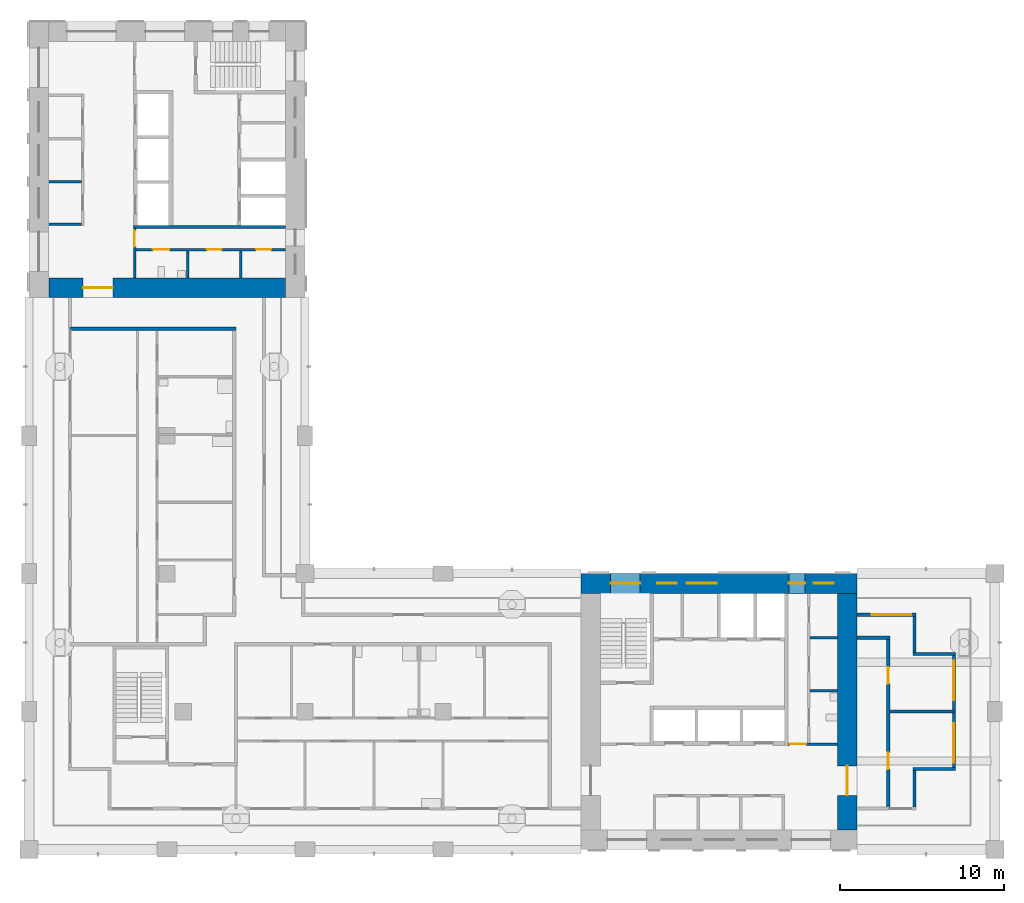
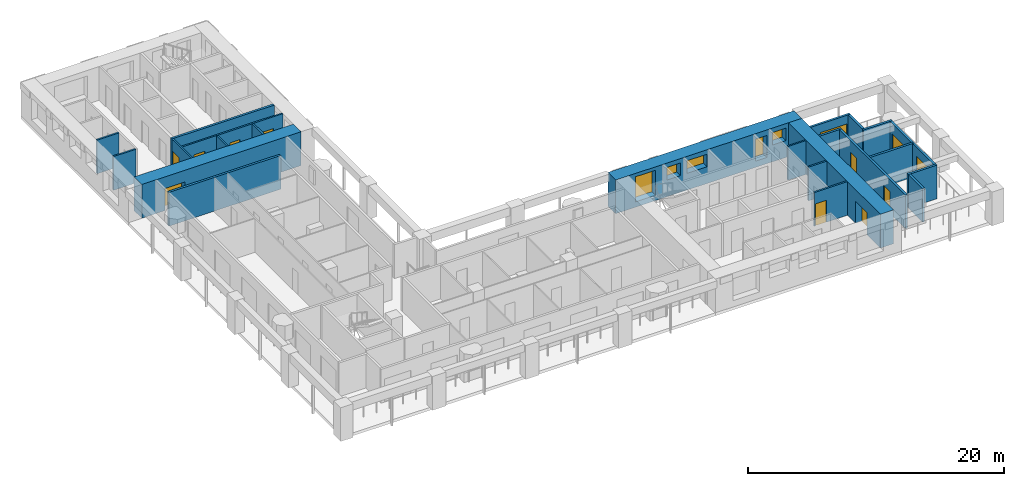
# One storey, part 5 of 13: 23 walls, 10 doors, 7 windows, 17 openings.
"""IFC4 building model written with IfcOpenShell, lengths in metres."""

from ifc_helpers import new_model, si_unit, direction, frame, frame_2d, origin, place, context, subcontext, project, spatial, rectangle, extrude, material, layer, layer_set, type_object, element, fill, save


model = new_model("IFC4")

# Units and contexts
model_context = context("Model", 3, precision=1e-05, world=origin(), true_north=direction((0.0, 1.0)))
body_context = subcontext(model_context, "Body", "Model", "MODEL_VIEW")
ifc_project = project(units=[si_unit("LENGTHUNIT", "METRE"), si_unit("AREAUNIT", "SQUARE_METRE"), si_unit("VOLUMEUNIT", "CUBIC_METRE"), si_unit("PLANEANGLEUNIT", "RADIAN"), si_unit("MASSUNIT", "GRAM", prefix="KILO")], contexts=[model_context])

# Site, building, storey
site_placement = place(None, origin())
site = spatial("IfcSite", under=ifc_project, at=site_placement, CompositionType="ELEMENT")
building_placement = place(site_placement, origin())
building = spatial("IfcBuilding", under=site, at=building_placement, Name="Vermilion Gate Residences", CompositionType="ELEMENT")
storey_placement = place(building_placement, frame((0.0, 0.0, 193.199951171875)))
storey = spatial("IfcBuildingStorey", under=building, at=storey_placement, Name="L50", CompositionType="ELEMENT", Elevation=193.199951171875)

# Wall, opening, door
ifc_material_1 = material(Name="Masonry blockwork", Category="masonry")
ifc_layer_1 = layer(ifc_material_1, 0.14990234375)
ifc_layer_set_1 = layer_set([ifc_layer_1], Name="BLOCKWORK PARTITION 150 EI 120")
wall_type_1 = type_object("IfcWallType", Name="BLOCKWORK PARTITION 150 EI 120", PredefinedType="PARTITIONING", material=ifc_layer_set_1)
wall_1_placement = place(storey_placement, frame((54.60009765625, 14.824951171875, 0.0), z_axis=(0.0, 0.0, 1.0), x_axis=(1.0, 0.0, 0.0)))
wall_1 = element("IfcWall", 1, at=wall_1_placement, inside=storey, type_object=wall_type_1, Name="Core room partition A50-ES-S", PredefinedType="PARTITIONING", context=body_context, shape_type="SweptSolid", body=[
    extrude(rectangle(XDim=3.0, YDim=0.14990234375, at=frame_2d((1.5, 0.0))), origin(), (0.0, 0.0, 1.0), 3.219970703125),
])
opening_1_placement = place(wall_1_placement, frame((0.10009765625, 0.0, 0.0)))
opening_1 = element("IfcOpeningElement", 2, at=opening_1_placement, cuts=wall_1, Name="Opening DK50015", PredefinedType="OPENING", context=body_context, shape_type="SweptSolid", body=[
    extrude(rectangle(XDim=1.0, YDim=2.10009765625, at=frame_2d((0.5, 1.050048828125))), frame((0.0, 0.0849609375, 0.0), z_axis=(0.0, -1.0, 0.0), x_axis=(1.0, 0.0, 0.0)), (0.0, 0.0, 1.0), 0.169921875),
])
ifc_material_2 = material(Name="Steel", Category="steel")
door_type_1 = type_object("IfcDoorType", Name="FIRE DOOR FD60 1000 X 2100", OperationType="SINGLE_SWING_LEFT", PredefinedType="DOOR", material=ifc_material_2)
door_1_placement = place(opening_1_placement, frame((1.0, 0.0, 0.0), z_axis=(0.0, 0.0, 1.0), x_axis=(-1.0, 0.0, 0.0)))
door_1 = element("IfcDoor", 3, at=door_1_placement, inside=storey, type_object=door_type_1, Name="Service corridor door A50", OperationType="SINGLE_SWING_LEFT", OverallHeight=2.10009765625, OverallWidth=1.0, PredefinedType="DOOR", context=body_context, shape_type="SweptSolid", body=[
    extrude(rectangle(XDim=1.0, YDim=2.10009765625, at=frame_2d((0.5, 1.050048828125))), frame((0.0, 0.02490234375, 0.0), z_axis=(0.0, -1.0, 0.0), x_axis=(1.0, 0.0, 0.0)), (0.0, 0.0, 1.0), 0.050048828125),
])
fill(opening_1, door_1)

# Walls
for number, where, z_axis, x_axis, name in (
    (4, (55.949951171875, 18.054931640625, 0.0), (0.0, 0.0, 1.0), (1.0, 0.0, 0.0), "Core room partition A50-ES-P0"),
    (5, (55.949951171875, 21.284912109375, 0.0), (0.0, 0.0, 1.0), (1.0, 0.0, 0.0), "Core room partition A50-ES-P1"),
):
    element("IfcWall", number, at=place(storey_placement, frame(where, z_axis=z_axis, x_axis=x_axis)), inside=storey, type_object=wall_type_1, Name=name, PredefinedType="PARTITIONING", context=body_context, shape_type="SweptSolid", body=[
        extrude(rectangle(XDim=1.650146484375, YDim=0.14990234375, at=frame_2d((0.8251953125, 0.0))), origin(), (0.0, 0.0, 1.0), 3.219970703125),
    ])
for number, where, z_axis, x_axis, name in (
    (6, (9.60009765625, 46.47509765625, 0.0), (0.0, 0.0, 1.0), (1.0, 0.0, 0.0), "Core room partition B50-RW-E"),
    (7, (9.60009765625, 49.06689453125, 0.0), (0.0, 0.0, 1.0), (1.0, 0.0, 0.0), "Core room partition B50-SR-P1"),
):
    element("IfcWall", number, at=place(storey_placement, frame(where, z_axis=z_axis, x_axis=x_axis)), inside=storey, type_object=wall_type_1, Name=name, PredefinedType="PARTITIONING", context=body_context, shape_type="SweptSolid", body=[
        extrude(rectangle(XDim=2.0, YDim=0.14990234375, at=frame_2d((1.0, 0.0))), origin(), (0.0, 0.0, 1.0), 3.219970703125),
    ])

# Wall, opening, door
wall_2_placement = place(storey_placement, frame((14.824951171875, 46.199951171875, 0.0), z_axis=(0.0, 0.0, 1.0), x_axis=(0.0, -1.0, 0.0)))
wall_2 = element("IfcWall", 8, at=wall_2_placement, inside=storey, type_object=wall_type_1, Name="Core room partition B50-ES-S", PredefinedType="PARTITIONING", context=body_context, shape_type="SweptSolid", body=[
    extrude(rectangle(XDim=3.0, YDim=0.14990234375, at=frame_2d((1.5, 0.0))), origin(), (0.0, 0.0, 1.0), 3.219970703125),
])
opening_2_placement = place(wall_2_placement, frame((0.10009765625, 0.0, 0.0)))
opening_2 = element("IfcOpeningElement", 9, at=opening_2_placement, cuts=wall_2, Name="Opening DK50114", PredefinedType="OPENING", context=body_context, shape_type="SweptSolid", body=[
    extrude(rectangle(XDim=1.0, YDim=2.10009765625, at=frame_2d((0.5, 1.050048828125))), frame((0.0, 0.0849609375, 0.0), z_axis=(0.0, -1.0, 0.0), x_axis=(1.0, 0.0, 0.0)), (0.0, 0.0, 1.0), 0.169921875),
])
door_2_placement = place(opening_2_placement, frame((1.0, 0.0, 0.0), z_axis=(0.0, 0.0, 1.0), x_axis=(-1.0, 0.0, 0.0)))
door_2 = element("IfcDoor", 10, at=door_2_placement, inside=storey, type_object=door_type_1, Name="Service corridor door B50", OperationType="SINGLE_SWING_LEFT", OverallHeight=2.10009765625, OverallWidth=1.0, PredefinedType="DOOR", context=body_context, shape_type="SweptSolid", body=[
    extrude(rectangle(XDim=1.0, YDim=2.10009765625, at=frame_2d((0.5, 1.050048828125))), frame((0.0, 0.02490234375, 0.0), z_axis=(0.0, -1.0, 0.0), x_axis=(1.0, 0.0, 0.0)), (0.0, 0.0, 1.0), 0.050048828125),
])
fill(opening_2, door_2)

# Walls
for number, where, z_axis, x_axis, name in (
    (11, (18.054931640625, 44.85009765625, 0.0), (0.0, 0.0, 1.0), (0.0, -1.0, 0.0), "Core room partition B50-ES-P0"),
    (12, (21.284912109375, 44.85009765625, 0.0), (0.0, 0.0, 1.0), (0.0, -1.0, 0.0), "Core room partition B50-ES-P1"),
):
    element("IfcWall", number, at=place(storey_placement, frame(where, z_axis=z_axis, x_axis=x_axis)), inside=storey, type_object=wall_type_1, Name=name, PredefinedType="PARTITIONING", context=body_context, shape_type="SweptSolid", body=[
        extrude(rectangle(XDim=1.650146484375, YDim=0.14990234375, at=frame_2d((0.8251953125, 0.0))), origin(), (0.0, 0.0, 1.0), 3.219970703125),
    ])

# Wall, openings, doors
wall_3_placement = place(storey_placement, frame((14.89990234375, 44.925048828125, 0.0), z_axis=(0.0, 0.0, 1.0), x_axis=(1.0, 0.0, 0.0)))
wall_3 = element("IfcWall", 13, at=wall_3_placement, inside=storey, type_object=wall_type_1, Name="Core room partition B50-ES-W", PredefinedType="PARTITIONING", context=body_context, shape_type="SweptSolid", body=[
    extrude(rectangle(XDim=9.10009765625, YDim=0.14990234375, at=frame_2d((4.550048828125, 0.0))), origin(), (0.0, 0.0, 1.0), 3.219970703125),
])
opening_3_placement = place(wall_3_placement, frame((1.0400390625, 0.0, 0.0)))
opening_3 = element("IfcOpeningElement", 14, at=opening_3_placement, cuts=wall_3, Name="Opening DK50115", PredefinedType="OPENING", context=body_context, shape_type="SweptSolid", body=[
    extrude(rectangle(XDim=1.0, YDim=2.10009765625, at=frame_2d((0.5, 1.050048828125))), frame((0.0, 0.0849609375, 0.0), z_axis=(0.0, -1.0, 0.0), x_axis=(1.0, 0.0, 0.0)), (0.0, 0.0, 1.0), 0.169921875),
])
opening_4_placement = place(wall_3_placement, frame((4.320068359375, 0.0, 0.0)))
opening_4 = element("IfcOpeningElement", 15, at=opening_4_placement, cuts=wall_3, Name="Opening DK50116", PredefinedType="OPENING", context=body_context, shape_type="SweptSolid", body=[
    extrude(rectangle(XDim=0.89990234375, YDim=2.10009765625, at=frame_2d((0.449951171875, 1.050048828125))), frame((0.0, 0.0849609375, 0.0), z_axis=(0.0, -1.0, 0.0), x_axis=(1.0, 0.0, 0.0)), (0.0, 0.0, 1.0), 0.169921875),
])
opening_5_placement = place(wall_3_placement, frame((7.330078125, 0.0, 0.0)))
opening_5 = element("IfcOpeningElement", 16, at=opening_5_placement, cuts=wall_3, Name="Opening DK50117", PredefinedType="OPENING", context=body_context, shape_type="SweptSolid", body=[
    extrude(rectangle(XDim=0.89990234375, YDim=2.10009765625, at=frame_2d((0.449951171875, 1.050048828125))), frame((0.0, 0.0849609375, 0.0), z_axis=(0.0, -1.0, 0.0), x_axis=(1.0, 0.0, 0.0)), (0.0, 0.0, 1.0), 0.169921875),
])
door_3_placement = place(opening_3_placement, frame((1.0, 0.0, 0.0), z_axis=(0.0, 0.0, 1.0), x_axis=(-1.0, 0.0, 0.0)))
door_3 = element("IfcDoor", 17, at=door_3_placement, inside=storey, type_object=door_type_1, Name="Accessible WC B50", OperationType="SINGLE_SWING_LEFT", OverallHeight=2.10009765625, OverallWidth=1.0, PredefinedType="DOOR", context=body_context, shape_type="SweptSolid", body=[
    extrude(rectangle(XDim=1.0, YDim=2.10009765625, at=frame_2d((0.5, 1.050048828125))), frame((0.0, 0.02490234375, 0.0), z_axis=(0.0, -1.0, 0.0), x_axis=(1.0, 0.0, 0.0)), (0.0, 0.0, 1.0), 0.050048828125),
])
fill(opening_3, door_3)
ifc_material_3 = material(Name="Steel", Category="steel")
door_type_2 = type_object("IfcDoorType", Name="SERVICE ROOM DOOR FD60 900 X 2100", OperationType="SINGLE_SWING_LEFT", PredefinedType="DOOR", material=ifc_material_3)
door_4_placement = place(opening_4_placement, frame((0.89990234375, 0.0, 0.0), z_axis=(0.0, 0.0, 1.0), x_axis=(-1.0, 0.0, 0.0)))
door_4 = element("IfcDoor", 18, at=door_4_placement, inside=storey, type_object=door_type_2, Name="Refuse room B50", OperationType="SINGLE_SWING_RIGHT", OverallHeight=2.10009765625, OverallWidth=0.89990234375, PredefinedType="DOOR", context=body_context, shape_type="SweptSolid", body=[
    extrude(rectangle(XDim=0.89990234375, YDim=2.10009765625, at=frame_2d((0.449951171875, 1.050048828125))), frame((0.0, 0.02490234375, 0.0), z_axis=(0.0, -1.0, 0.0), x_axis=(1.0, 0.0, 0.0)), (0.0, 0.0, 1.0), 0.050048828125),
])
fill(opening_4, door_4)
door_5_placement = place(opening_5_placement, frame((0.89990234375, 0.0, 0.0), z_axis=(0.0, 0.0, 1.0), x_axis=(-1.0, 0.0, 0.0)))
door_5 = element("IfcDoor", 19, at=door_5_placement, inside=storey, type_object=door_type_2, Name="Parcel room B50", OperationType="SINGLE_SWING_LEFT", OverallHeight=2.10009765625, OverallWidth=0.89990234375, PredefinedType="DOOR", context=body_context, shape_type="SweptSolid", body=[
    extrude(rectangle(XDim=0.89990234375, YDim=2.10009765625, at=frame_2d((0.449951171875, 1.050048828125))), frame((0.0, 0.02490234375, 0.0), z_axis=(0.0, -1.0, 0.0), x_axis=(1.0, 0.0, 0.0)), (0.0, 0.0, 1.0), 0.050048828125),
])
fill(opening_5, door_5)

# Walls
ifc_material_4 = material(Name="Insulated steel stud wall with terracotta rainscreen", Category="masonry")
ifc_layer_2 = layer(ifc_material_4, 0.199951171875)
ifc_layer_set_2 = layer_set([ifc_layer_2], Name="EXTERNAL WALL 200 TERRACOTTA RAINSCREEN")
wall_type_2 = type_object("IfcWallType", Name="EXTERNAL WALL 200 TERRACOTTA RAINSCREEN", PredefinedType="SOLIDWALL", material=ifc_layer_set_2)
wall_4_placement = place(storey_placement, frame((62.300048828125, 11.0, 0.0), z_axis=(0.0, 0.0, 1.0), x_axis=(0.0, 1.0, 0.0)))
element("IfcWall", 20, at=wall_4_placement, inside=storey, type_object=wall_type_2, Name="External wall", PredefinedType="SOLIDWALL", context=body_context, shape_type="SweptSolid", body=[
    extrude(rectangle(XDim=2.199951171875, YDim=0.199951171875, at=frame_2d((1.10009765625, 0.0))), origin(), (0.0, 0.0, 1.0), 3.219970703125),
])
wall_5_placement = place(storey_placement, frame((62.199951171875, 13.300048828125, 0.0), z_axis=(0.0, 0.0, 1.0), x_axis=(1.0, 0.0, 0.0)))
element("IfcWall", 21, at=wall_5_placement, inside=storey, type_object=wall_type_2, Name="External wall", PredefinedType="SOLIDWALL", context=body_context, shape_type="SweptSolid", body=[
    extrude(rectangle(XDim=2.60009765625, YDim=0.199951171875, at=frame_2d((1.300048828125, 0.0))), origin(), (0.0, 0.0, 1.0), 3.219970703125),
])

# Wall, openings, door, window
wall_6_placement = place(storey_placement, frame((64.699951171875, 13.39990234375, 0.0), z_axis=(0.0, 0.0, 1.0), x_axis=(0.0, 1.0, 0.0)))
wall_6 = element("IfcWall", 22, at=wall_6_placement, inside=storey, type_object=wall_type_2, Name="External wall", PredefinedType="SOLIDWALL", context=body_context, shape_type="SweptSolid", body=[
    extrude(rectangle(XDim=6.800048828125, YDim=0.199951171875, at=frame_2d((3.39990234375, 0.0))), origin(), (0.0, 0.0, 1.0), 3.219970703125),
])
opening_6_placement = place(wall_6_placement, frame((0.300048828125, 0.0, 0.89990234375)))
opening_6 = element("IfcOpeningElement", 23, at=opening_6_placement, cuts=wall_6, Name="Opening WE50016", PredefinedType="OPENING", context=body_context, shape_type="SweptSolid", body=[
    extrude(rectangle(XDim=2.39990234375, YDim=1.5, at=frame_2d((1.199951171875, 0.75))), frame((0.0, 0.10986328125, 0.0), z_axis=(0.0, -1.0, 0.0), x_axis=(1.0, 0.0, 0.0)), (0.0, 0.0, 1.0), 0.219970703125),
])
opening_7_placement = place(wall_6_placement, frame((4.10009765625, 0.0, 0.0)))
opening_7 = element("IfcOpeningElement", 24, at=opening_7_placement, cuts=wall_6, Name="Opening DE50019", PredefinedType="OPENING", context=body_context, shape_type="SweptSolid", body=[
    extrude(rectangle(XDim=2.39990234375, YDim=2.199951171875, at=frame_2d((1.199951171875, 1.10009765625))), frame((0.0, 0.10986328125, 0.0), z_axis=(0.0, -1.0, 0.0), x_axis=(1.0, 0.0, 0.0)), (0.0, 0.0, 1.0), 0.219970703125),
])
ifc_material_5 = material(Name="Aluminium and clear glass", Category="aluminium")
door_type_3 = type_object("IfcDoorType", Name="SLIDING GLAZED DOOR 2400 X 2200", OperationType="DOUBLE_DOOR_SLIDING", PredefinedType="DOOR", material=ifc_material_5)
door_6_placement = place(opening_7_placement, origin())
door_6 = element("IfcDoor", 25, at=door_6_placement, inside=storey, type_object=door_type_3, Name="Loggia sliding door", OperationType="DOUBLE_DOOR_SLIDING", OverallHeight=2.199951171875, OverallWidth=2.39990234375, PredefinedType="DOOR", context=body_context, shape_type="SweptSolid", body=[
    extrude(rectangle(XDim=2.39990234375, YDim=2.199951171875, at=frame_2d((1.199951171875, 1.10009765625))), frame((0.0, 0.02490234375, 0.0), z_axis=(0.0, -1.0, 0.0), x_axis=(1.0, 0.0, 0.0)), (0.0, 0.0, 1.0), 0.050048828125),
])
fill(opening_7, door_6)
ifc_material_6 = material(Name="Aluminium and clear glass", Category="aluminium")
window_type_1 = type_object("IfcWindowType", Name="WINDOW 2400 X 1500", PartitioningType="SINGLE_PANEL", PredefinedType="WINDOW", material=ifc_material_6)
window_1_placement = place(opening_6_placement, origin())
window_1 = element("IfcWindow", 26, at=window_1_placement, inside=storey, type_object=window_type_1, Name="Window", OverallHeight=1.5, OverallWidth=2.39990234375, PartitioningType="SINGLE_PANEL", PredefinedType="WINDOW", context=body_context, shape_type="SweptSolid", body=[
    extrude(rectangle(XDim=2.39990234375, YDim=1.5, at=frame_2d((1.199951171875, 0.75))), frame((0.0, 0.030029296875, 0.0), z_axis=(0.0, -1.0, 0.0), x_axis=(1.0, 0.0, 0.0)), (0.0, 0.0, 1.0), 0.06005859375),
])
fill(opening_6, window_1)

# Walls
wall_7_placement = place(storey_placement, frame((64.800048828125, 20.300048828125, 0.0), z_axis=(0.0, 0.0, 1.0), x_axis=(-1.0, 0.0, 0.0)))
element("IfcWall", 27, at=wall_7_placement, inside=storey, type_object=wall_type_2, Name="External wall", PredefinedType="SOLIDWALL", context=body_context, shape_type="SweptSolid", body=[
    extrude(rectangle(XDim=2.60009765625, YDim=0.199951171875, at=frame_2d((1.300048828125, 0.0))), origin(), (0.0, 0.0, 1.0), 3.219970703125),
])
wall_8_placement = place(storey_placement, frame((62.300048828125, 20.39990234375, 0.0), z_axis=(0.0, 0.0, 1.0), x_axis=(0.0, 1.0, 0.0)))
element("IfcWall", 28, at=wall_8_placement, inside=storey, type_object=wall_type_2, Name="External wall", PredefinedType="SOLIDWALL", context=body_context, shape_type="SweptSolid", body=[
    extrude(rectangle(XDim=2.2001953125, YDim=0.199951171875, at=frame_2d((1.10009765625, 0.0))), origin(), (0.0, 0.0, 1.0), 3.219970703125),
])

# Wall, opening, window
wall_9_placement = place(storey_placement, frame((62.39990234375, 22.699951171875, 0.0), z_axis=(0.0, 0.0, 1.0), x_axis=(-1.0, 0.0, 0.0)))
wall_9 = element("IfcWall", 29, at=wall_9_placement, inside=storey, type_object=wall_type_2, Name="External wall", PredefinedType="SOLIDWALL", context=body_context, shape_type="SweptSolid", body=[
    extrude(rectangle(XDim=3.599853515625, YDim=0.199951171875, at=frame_2d((1.7998046875, 0.0))), origin(), (0.0, 0.0, 1.0), 3.219970703125),
])
opening_8_placement = place(wall_9_placement, frame((0.300048828125, 0.0, 0.89990234375)))
opening_8 = element("IfcOpeningElement", 30, at=opening_8_placement, cuts=wall_9, Name="Opening WE50018", PredefinedType="OPENING", context=body_context, shape_type="SweptSolid", body=[
    extrude(rectangle(XDim=2.39990234375, YDim=1.5, at=frame_2d((1.199951171875, 0.75))), frame((0.0, 0.10986328125, 0.0), z_axis=(0.0, -1.0, 0.0), x_axis=(1.0, 0.0, 0.0)), (0.0, 0.0, 1.0), 0.219970703125),
])
window_2_placement = place(opening_8_placement, origin())
window_2 = element("IfcWindow", 31, at=window_2_placement, inside=storey, type_object=window_type_1, Name="Window", OverallHeight=1.5, OverallWidth=2.39990234375, PartitioningType="SINGLE_PANEL", PredefinedType="WINDOW", context=body_context, shape_type="SweptSolid", body=[
    extrude(rectangle(XDim=2.39990234375, YDim=1.5, at=frame_2d((1.199951171875, 0.75))), frame((0.0, 0.030029296875, 0.0), z_axis=(0.0, -1.0, 0.0), x_axis=(1.0, 0.0, 0.0)), (0.0, 0.0, 1.0), 0.06005859375),
])
fill(opening_8, window_2)

# Walls
ifc_material_7 = material(Name="Fire-rated plasterboard on steel studs", Category="steel")
ifc_layer_3 = layer(ifc_material_7, 0.199951171875)
ifc_layer_set_3 = layer_set([ifc_layer_3], Name="PARTY WALL 200 EI 120")
wall_type_3 = type_object("IfcWallType", Name="PARTY WALL 200 EI 120", PredefinedType="PARTITIONING", material=ifc_layer_set_3)
wall_10_placement = place(storey_placement, frame((60.800048828125, 16.800048828125, 0.0), z_axis=(0.0, 0.0, 1.0), x_axis=(1.0, 0.0, 0.0)))
element("IfcWall", 32, at=wall_10_placement, inside=storey, type_object=wall_type_3, Name="Party and corridor wall", PredefinedType="PARTITIONING", context=body_context, shape_type="SweptSolid", body=[
    extrude(rectangle(XDim=3.89990234375, YDim=0.199951171875, at=frame_2d((1.949951171875, 0.0))), origin(), (0.0, 0.0, 1.0), 3.219970703125),
])
wall_11_placement = place(storey_placement, frame((58.800048828125, 21.300048828125, 0.0), z_axis=(0.0, 0.0, 1.0), x_axis=(1.0, 0.0, 0.0)))
element("IfcWall", 33, at=wall_11_placement, inside=storey, type_object=wall_type_3, Name="Party and corridor wall", PredefinedType="PARTITIONING", context=body_context, shape_type="SweptSolid", body=[
    extrude(rectangle(XDim=2.0, YDim=0.199951171875, at=frame_2d((1.0, 0.0))), origin(), (0.0, 0.0, 1.0), 3.219970703125),
])
wall_12_placement = place(storey_placement, frame((10.89990234375, 40.10009765625, 0.0), z_axis=(0.0, 0.0, 1.0), x_axis=(1.0, 0.0, 0.0)))
element("IfcWall", 34, at=wall_12_placement, inside=storey, type_object=wall_type_3, Name="Party and corridor wall", PredefinedType="PARTITIONING", context=body_context, shape_type="SweptSolid", body=[
    extrude(rectangle(XDim=10.10009765625, YDim=0.199951171875, at=frame_2d((5.050048828125, 0.0))), origin(), (0.0, 0.0, 1.0), 3.219970703125),
])

# Wall, openings, doors
wall_13_placement = place(storey_placement, frame((60.699951171875, 10.89990234375, 0.0), z_axis=(0.0, 0.0, 1.0), x_axis=(0.0, 1.0, 0.0)))
wall_13 = element("IfcWall", 35, at=wall_13_placement, inside=storey, type_object=wall_type_3, Name="Party and corridor wall", PredefinedType="PARTITIONING", context=body_context, shape_type="SweptSolid", body=[
    extrude(rectangle(XDim=10.300048828125, YDim=0.199951171875, at=frame_2d((5.14990234375, 0.0))), origin(), (0.0, 0.0, 1.0), 3.219970703125),
])
opening_9_placement = place(wall_13_placement, frame((2.39990234375, 0.0, 0.0)))
opening_9 = element("IfcOpeningElement", 36, at=opening_9_placement, cuts=wall_13, Name="Opening DA49021", PredefinedType="OPENING", context=body_context, shape_type="SweptSolid", body=[
    extrude(rectangle(XDim=1.0, YDim=2.10009765625, at=frame_2d((0.5, 1.050048828125))), frame((0.0, 0.10986328125, 0.0), z_axis=(0.0, -1.0, 0.0), x_axis=(1.0, 0.0, 0.0)), (0.0, 0.0, 1.0), 0.219970703125),
])
opening_10_placement = place(wall_13_placement, frame((7.60009765625, 0.0, 0.0)))
opening_10 = element("IfcOpeningElement", 37, at=opening_10_placement, cuts=wall_13, Name="Opening DA49022", PredefinedType="OPENING", context=body_context, shape_type="SweptSolid", body=[
    extrude(rectangle(XDim=1.0, YDim=2.10009765625, at=frame_2d((0.5, 1.050048828125))), frame((0.0, 0.10986328125, 0.0), z_axis=(0.0, -1.0, 0.0), x_axis=(1.0, 0.0, 0.0)), (0.0, 0.0, 1.0), 0.219970703125),
])
ifc_material_8 = material(Name="Steel", Category="steel")
door_type_4 = type_object("IfcDoorType", Name="ENTRANCE DOOR 1000 X 2100 FD30", OperationType="SINGLE_SWING_LEFT", PredefinedType="DOOR", material=ifc_material_8)
door_7_placement = place(opening_9_placement, frame((1.0, 0.0, 0.0), z_axis=(0.0, 0.0, 1.0), x_axis=(-1.0, 0.0, 0.0)))
door_7 = element("IfcDoor", 38, at=door_7_placement, inside=storey, type_object=door_type_4, Name="Entrance door", OperationType="SINGLE_SWING_RIGHT", OverallHeight=2.10009765625, OverallWidth=1.0, PredefinedType="DOOR", context=body_context, shape_type="SweptSolid", body=[
    extrude(rectangle(XDim=1.0, YDim=2.10009765625, at=frame_2d((0.5, 1.050048828125))), frame((0.0, 0.02490234375, 0.0), z_axis=(0.0, -1.0, 0.0), x_axis=(1.0, 0.0, 0.0)), (0.0, 0.0, 1.0), 0.050048828125),
])
fill(opening_9, door_7)
door_8_placement = place(opening_10_placement, frame((1.0, 0.0, 0.0), z_axis=(0.0, 0.0, 1.0), x_axis=(-1.0, 0.0, 0.0)))
door_8 = element("IfcDoor", 39, at=door_8_placement, inside=storey, type_object=door_type_4, Name="Entrance door", OperationType="SINGLE_SWING_RIGHT", OverallHeight=2.10009765625, OverallWidth=1.0, PredefinedType="DOOR", context=body_context, shape_type="SweptSolid", body=[
    extrude(rectangle(XDim=1.0, YDim=2.10009765625, at=frame_2d((0.5, 1.050048828125))), frame((0.0, 0.02490234375, 0.0), z_axis=(0.0, -1.0, 0.0), x_axis=(1.0, 0.0, 0.0)), (0.0, 0.0, 1.0), 0.050048828125),
])
fill(opening_10, door_8)

# Wall
ifc_material_9 = material(Name="Concrete C60", Category="concrete")
ifc_layer_4 = layer(ifc_material_9, 0.199951171875)
ifc_layer_set_4 = layer_set([ifc_layer_4], Name="RC CORE INTERNAL WALL 200 C60")
wall_type_4 = type_object("IfcWallType", Name="RC CORE INTERNAL WALL 200 C60", PredefinedType="SHEAR", material=ifc_layer_set_4)
wall_14_placement = place(storey_placement, frame((14.75, 46.300048828125, 0.0), z_axis=(0.0, 0.0, 1.0), x_axis=(1.0, 0.0, 0.0)))
element("IfcWall", 40, at=wall_14_placement, inside=storey, type_object=wall_type_4, Name="Core internal wall B50-EDIV", PredefinedType="SHEAR", context=body_context, shape_type="SweptSolid", body=[
    extrude(rectangle(XDim=9.25, YDim=0.199951171875, at=frame_2d((4.625, 0.0))), origin(), (0.0, 0.0, 1.0), 3.219970703125),
])

# Wall, opening, door
ifc_material_10 = material(Name="Concrete C60", Category="concrete")
ifc_layer_5 = layer(ifc_material_10, 1.199951171875)
ifc_layer_set_5 = layer_set([ifc_layer_5], Name="RC CORE WALL 1200 C60")
wall_type_5 = type_object("IfcWallType", Name="RC CORE WALL 1200 C60", PredefinedType="SHEAR", material=ifc_layer_set_5)
wall_15_placement = place(storey_placement, frame((58.199951171875, 9.60009765625, 0.0), z_axis=(0.0, 0.0, 1.0), x_axis=(0.0, 1.0, 0.0)))
wall_15 = element("IfcWall", 41, at=wall_15_placement, inside=storey, type_object=wall_type_5, Name="Core wall A50-OUT-BK", PredefinedType="SHEAR", context=body_context, shape_type="SweptSolid", body=[
    extrude(rectangle(XDim=14.39990234375, YDim=1.199951171875, at=frame_2d((7.199951171875, 0.0))), origin(), (0.0, 0.0, 1.0), 3.219970703125),
])
opening_11_placement = place(wall_15_placement, frame((2.10009765625, 0.0, 0.0)))
opening_11 = element("IfcOpeningElement", 42, at=opening_11_placement, cuts=wall_15, Name="Opening DK50002", PredefinedType="OPENING", context=body_context, shape_type="SweptSolid", body=[
    extrude(rectangle(XDim=1.800048828125, YDim=2.10009765625, at=frame_2d((0.89990234375, 1.050048828125))), frame((0.0, 0.60986328125, 0.0), z_axis=(0.0, -1.0, 0.0), x_axis=(1.0, 0.0, 0.0)), (0.0, 0.0, 1.0), 1.219970703125),
])
ifc_material_11 = material(Name="Steel", Category="steel")
door_type_5 = type_object("IfcDoorType", Name="CORE LOBBY DOOR FD60 1800 X 2100", OperationType="DOUBLE_DOOR_SINGLE_SWING", PredefinedType="DOOR", material=ifc_material_11)
door_9_placement = place(opening_11_placement, origin())
door_9 = element("IfcDoor", 43, at=door_9_placement, inside=storey, type_object=door_type_5, Name="Core lobby door A50", OperationType="DOUBLE_DOOR_SINGLE_SWING", OverallHeight=2.10009765625, OverallWidth=1.800048828125, PredefinedType="DOOR", context=body_context, shape_type="SweptSolid", body=[
    extrude(rectangle(XDim=1.800048828125, YDim=2.10009765625, at=frame_2d((0.89990234375, 1.050048828125))), frame((0.0, 0.02490234375, 0.0), z_axis=(0.0, -1.0, 0.0), x_axis=(1.0, 0.0, 0.0)), (0.0, 0.0, 1.0), 0.050048828125),
])
fill(opening_11, door_9)

wall_16_placement = place(storey_placement, frame((9.60009765625, 42.60009765625, 0.0), z_axis=(0.0, 0.0, 1.0), x_axis=(1.0, 0.0, 0.0)))
wall_16 = element("IfcWall", 44, at=wall_16_placement, inside=storey, type_object=wall_type_5, Name="Core wall B50-OUT-BK", PredefinedType="SHEAR", context=body_context, shape_type="SweptSolid", body=[
    extrude(rectangle(XDim=14.39990234375, YDim=1.199951171875, at=frame_2d((7.199951171875, 0.0))), origin(), (0.0, 0.0, 1.0), 3.219970703125),
])
opening_12_placement = place(wall_16_placement, frame((2.10009765625, 0.0, 0.0)))
opening_12 = element("IfcOpeningElement", 45, at=opening_12_placement, cuts=wall_16, Name="Opening DK50101", PredefinedType="OPENING", context=body_context, shape_type="SweptSolid", body=[
    extrude(rectangle(XDim=1.800048828125, YDim=2.10009765625, at=frame_2d((0.89990234375, 1.050048828125))), frame((0.0, 0.60986328125, 0.0), z_axis=(0.0, -1.0, 0.0), x_axis=(1.0, 0.0, 0.0)), (0.0, 0.0, 1.0), 1.219970703125),
])
door_10_placement = place(opening_12_placement, frame((1.800048828125, 0.0, 0.0), z_axis=(0.0, 0.0, 1.0), x_axis=(-1.0, 0.0, 0.0)))
door_10 = element("IfcDoor", 46, at=door_10_placement, inside=storey, type_object=door_type_5, Name="Core lobby door B50", OperationType="DOUBLE_DOOR_SINGLE_SWING", OverallHeight=2.10009765625, OverallWidth=1.800048828125, PredefinedType="DOOR", context=body_context, shape_type="SweptSolid", body=[
    extrude(rectangle(XDim=1.800048828125, YDim=2.10009765625, at=frame_2d((0.89990234375, 1.050048828125))), frame((0.0, 0.02490234375, 0.0), z_axis=(0.0, -1.0, 0.0), x_axis=(1.0, 0.0, 0.0)), (0.0, 0.0, 1.0), 0.050048828125),
])
fill(opening_12, door_10)

# Wall, openings, windows
ifc_material_12 = material(Name="Concrete C60 red-oxide pigmented", Category="concrete")
ifc_layer_6 = layer(ifc_material_12, 1.199951171875)
ifc_layer_set_6 = layer_set([ifc_layer_6], Name="RC CORE WALL 1200 C60 RED OXIDE")
wall_type_6 = type_object("IfcWallType", Name="RC CORE WALL 1200 C60 RED OXIDE", PredefinedType="SHEAR", material=ifc_layer_set_6)
wall_17_placement = place(storey_placement, frame((42.0, 24.60009765625, 0.0), z_axis=(0.0, 0.0, 1.0), x_axis=(1.0, 0.0, 0.0)))
wall_17 = element("IfcWall", 47, at=wall_17_placement, inside=storey, type_object=wall_type_6, Name="Core wall A50-OUT-B1", PredefinedType="SHEAR", context=body_context, shape_type="SweptSolid", body=[
    extrude(rectangle(XDim=16.800048828125, YDim=1.199951171875, at=frame_2d((8.39990234375, 0.0))), origin(), (0.0, 0.0, 1.0), 3.219970703125),
])
opening_13_placement = place(wall_17_placement, frame((1.800048828125, 0.0, 0.5)))
opening_13 = element("IfcOpeningElement", 48, at=opening_13_placement, cuts=wall_17, Name="Opening WKA5006", PredefinedType="OPENING", context=body_context, shape_type="SweptSolid", body=[
    extrude(rectangle(XDim=1.800048828125, YDim=2.39990234375, at=frame_2d((0.89990234375, 1.199951171875))), frame((0.0, 0.60986328125, 0.0), z_axis=(0.0, -1.0, 0.0), x_axis=(1.0, 0.0, 0.0)), (0.0, 0.0, 1.0), 1.219970703125),
])
opening_14_placement = place(wall_17_placement, frame((4.643798828125, 0.0, 1.60009765625)))
opening_14 = element("IfcOpeningElement", 49, at=opening_14_placement, cuts=wall_17, Name="Opening WKA5007", PredefinedType="OPENING", context=body_context, shape_type="SweptSolid", body=[
    extrude(rectangle(XDim=1.199951171875, YDim=1.199951171875, at=frame_2d((0.60009765625, 0.60009765625))), frame((0.0, 0.60986328125, 0.0), z_axis=(0.0, -1.0, 0.0), x_axis=(1.0, 0.0, 0.0)), (0.0, 0.0, 1.0), 1.219970703125),
])
opening_15_placement = place(wall_17_placement, frame((6.449951171875, 0.0, 1.60009765625)))
opening_15 = element("IfcOpeningElement", 50, at=opening_15_placement, cuts=wall_17, Name="Opening WKA5008", PredefinedType="OPENING", context=body_context, shape_type="SweptSolid", body=[
    extrude(rectangle(XDim=1.800048828125, YDim=1.199951171875, at=frame_2d((0.89990234375, 0.60009765625))), frame((0.0, 0.60986328125, 0.0), z_axis=(0.0, -1.0, 0.0), x_axis=(1.0, 0.0, 0.0)), (0.0, 0.0, 1.0), 1.219970703125),
])
opening_16_placement = place(wall_17_placement, frame((12.64990234375, 0.0, 0.60009765625)))
opening_16 = element("IfcOpeningElement", 51, at=opening_16_placement, cuts=wall_17, Name="Opening WKA5009", PredefinedType="OPENING", context=body_context, shape_type="SweptSolid", body=[
    extrude(rectangle(XDim=1.0, YDim=2.10009765625, at=frame_2d((0.5, 1.050048828125))), frame((0.0, 0.60986328125, 0.0), z_axis=(0.0, -1.0, 0.0), x_axis=(1.0, 0.0, 0.0)), (0.0, 0.0, 1.0), 1.219970703125),
])
opening_17_placement = place(wall_17_placement, frame((14.175048828125, 0.0, 1.60009765625)))
opening_17 = element("IfcOpeningElement", 52, at=opening_17_placement, cuts=wall_17, Name="Opening WKA5010", PredefinedType="OPENING", context=body_context, shape_type="SweptSolid", body=[
    extrude(rectangle(XDim=1.199951171875, YDim=1.199951171875, at=frame_2d((0.60009765625, 0.60009765625))), frame((0.0, 0.60986328125, 0.0), z_axis=(0.0, -1.0, 0.0), x_axis=(1.0, 0.0, 0.0)), (0.0, 0.0, 1.0), 1.219970703125),
])
ifc_material_13 = material(Name="Aluminium and clear glass", Category="aluminium")
window_type_2 = type_object("IfcWindowType", Name="CORE CORRIDOR WINDOW 1000 X 2100", PartitioningType="SINGLE_PANEL", PredefinedType="WINDOW", material=ifc_material_13)
window_3_placement = place(opening_16_placement, origin())
window_3 = element("IfcWindow", 53, at=window_3_placement, inside=storey, type_object=window_type_2, Name="Core corridor window", OverallHeight=2.10009765625, OverallWidth=1.0, PartitioningType="SINGLE_PANEL", PredefinedType="WINDOW", context=body_context, shape_type="SweptSolid", body=[
    extrude(rectangle(XDim=1.0, YDim=2.10009765625, at=frame_2d((0.5, 1.050048828125))), frame((0.0, 0.030029296875, 0.0), z_axis=(0.0, -1.0, 0.0), x_axis=(1.0, 0.0, 0.0)), (0.0, 0.0, 1.0), 0.06005859375),
])
fill(opening_16, window_3)
ifc_material_14 = material(Name="Aluminium frame with louvre blades", Category="aluminium")
window_type_3 = type_object("IfcWindowType", Name="CORE LOUVRE 1200 X 1200", PartitioningType="SINGLE_PANEL", PredefinedType="WINDOW", material=ifc_material_14)
window_4_placement = place(opening_14_placement, origin())
window_4 = element("IfcWindow", 54, at=window_4_placement, inside=storey, type_object=window_type_3, Name="Core louvre", OverallHeight=1.199951171875, OverallWidth=1.199951171875, PartitioningType="SINGLE_PANEL", PredefinedType="WINDOW", context=body_context, shape_type="SweptSolid", body=[
    extrude(rectangle(XDim=1.199951171875, YDim=1.199951171875, at=frame_2d((0.60009765625, 0.60009765625))), frame((0.0, 0.030029296875, 0.0), z_axis=(0.0, -1.0, 0.0), x_axis=(1.0, 0.0, 0.0)), (0.0, 0.0, 1.0), 0.06005859375),
])
fill(opening_14, window_4)
window_5_placement = place(opening_17_placement, origin())
window_5 = element("IfcWindow", 55, at=window_5_placement, inside=storey, type_object=window_type_3, Name="Core louvre", OverallHeight=1.199951171875, OverallWidth=1.199951171875, PartitioningType="SINGLE_PANEL", PredefinedType="WINDOW", context=body_context, shape_type="SweptSolid", body=[
    extrude(rectangle(XDim=1.199951171875, YDim=1.199951171875, at=frame_2d((0.60009765625, 0.60009765625))), frame((0.0, 0.030029296875, 0.0), z_axis=(0.0, -1.0, 0.0), x_axis=(1.0, 0.0, 0.0)), (0.0, 0.0, 1.0), 0.06005859375),
])
fill(opening_17, window_5)
ifc_material_15 = material(Name="Aluminium frame with louvre blades", Category="aluminium")
window_type_4 = type_object("IfcWindowType", Name="CORE LOUVRE 1800 X 1200", PartitioningType="SINGLE_PANEL", PredefinedType="WINDOW", material=ifc_material_15)
window_6_placement = place(opening_15_placement, origin())
window_6 = element("IfcWindow", 56, at=window_6_placement, inside=storey, type_object=window_type_4, Name="Core louvre", OverallHeight=1.199951171875, OverallWidth=1.800048828125, PartitioningType="SINGLE_PANEL", PredefinedType="WINDOW", context=body_context, shape_type="SweptSolid", body=[
    extrude(rectangle(XDim=1.800048828125, YDim=1.199951171875, at=frame_2d((0.89990234375, 0.60009765625))), frame((0.0, 0.030029296875, 0.0), z_axis=(0.0, -1.0, 0.0), x_axis=(1.0, 0.0, 0.0)), (0.0, 0.0, 1.0), 0.06005859375),
])
fill(opening_15, window_6)
ifc_material_16 = material(Name="Aluminium and clear glass", Category="aluminium")
window_type_5 = type_object("IfcWindowType", Name="CORE STAIR WINDOW 1800 X 2400", PartitioningType="SINGLE_PANEL", PredefinedType="WINDOW", material=ifc_material_16)
window_7_placement = place(opening_13_placement, origin())
window_7 = element("IfcWindow", 57, at=window_7_placement, inside=storey, type_object=window_type_5, Name="Core stair window", OverallHeight=2.39990234375, OverallWidth=1.800048828125, PartitioningType="SINGLE_PANEL", PredefinedType="WINDOW", context=body_context, shape_type="SweptSolid", body=[
    extrude(rectangle(XDim=1.800048828125, YDim=2.39990234375, at=frame_2d((0.89990234375, 1.199951171875))), frame((0.0, 0.030029296875, 0.0), z_axis=(0.0, -1.0, 0.0), x_axis=(1.0, 0.0, 0.0)), (0.0, 0.0, 1.0), 0.06005859375),
])
fill(opening_13, window_7)

save(model, "model.ifc")
